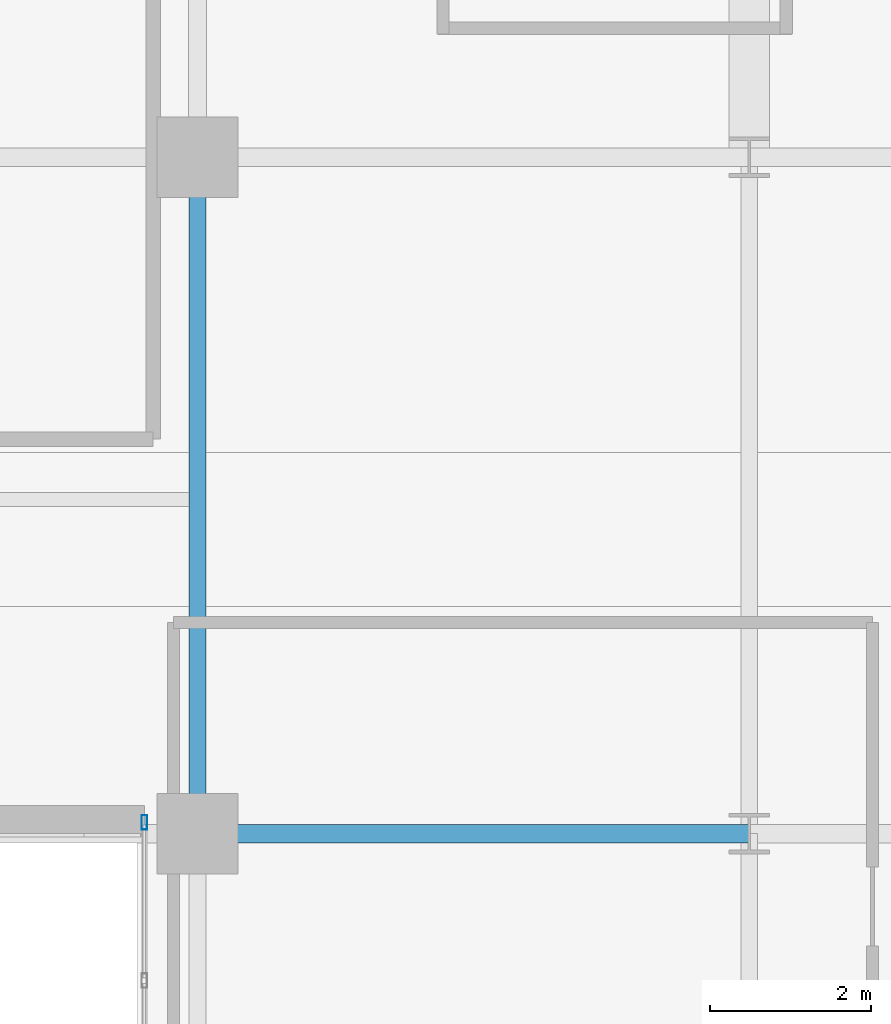
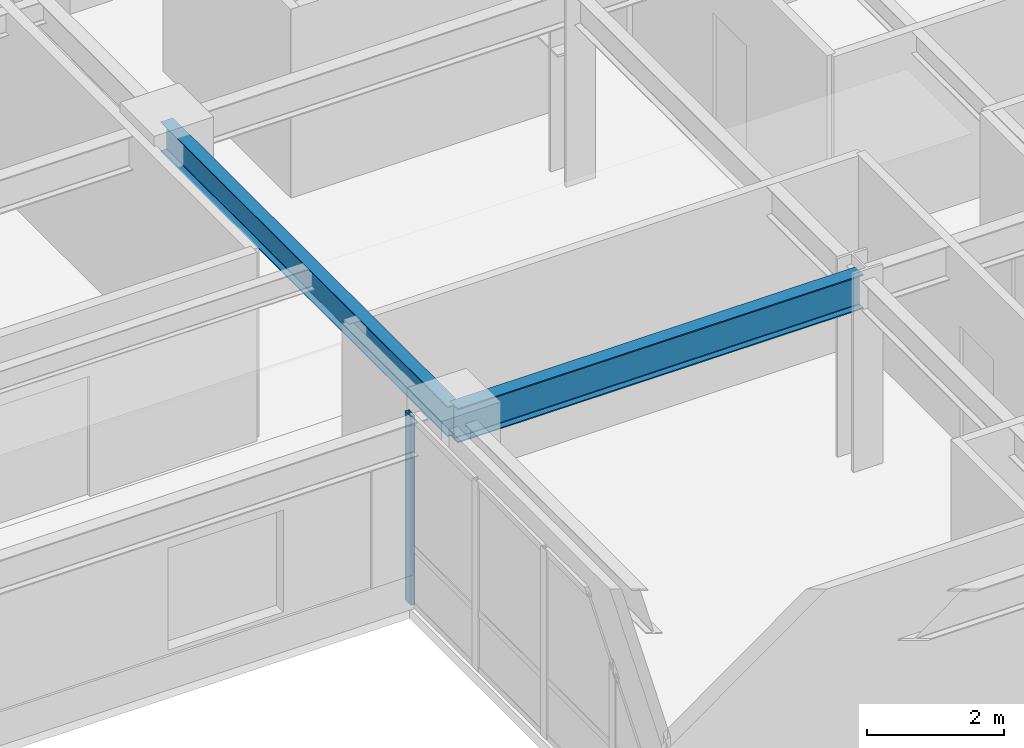
# One storey, part 11 of 24: 2 beams, 1 member, 1 element without a shape of its own.
"""IFC4 building model written with IfcOpenShell, lengths in metres."""

from ifc_helpers import new_model, si_unit, direction, frame, origin, origin_2d, place, context, subcontext, project, spatial, hollow_rectangle, i_section, extrude, source, transform, mapped, material, layer, layer_set, material_profile, profile_set, type_object, type_shapes, element, aggregate, save


model = new_model("IFC4")

# Units and contexts
model_context = context("Model", 3, precision=1e-05, world=origin(), true_north=direction((0.0, 1.0)))
body_context = subcontext(model_context, "Body", "Model", "MODEL_VIEW")
ifc_project = project(units=[si_unit("LENGTHUNIT", "METRE"), si_unit("AREAUNIT", "SQUARE_METRE"), si_unit("VOLUMEUNIT", "CUBIC_METRE"), si_unit("PLANEANGLEUNIT", "RADIAN"), si_unit("MASSUNIT", "GRAM", prefix="KILO")], contexts=[model_context])

# Site, building, storey
site_placement = place(None, origin())
site = spatial("IfcSite", under=ifc_project, at=site_placement, CompositionType="ELEMENT")
building_placement = place(site_placement, origin())
building = spatial("IfcBuilding", under=site, at=building_placement, Name="Tolvann Quenvar Hotel", CompositionType="ELEMENT")
storey_placement = place(building_placement, frame((0.0, 0.0, 67.5)))
storey = spatial("IfcBuildingStorey", under=building, at=storey_placement, Name="L16", CompositionType="ELEMENT", Elevation=67.5)

# Beams
ifc_material_1 = material(Name="Steel Grade 350", Category="steel")
ifc_material_profile_1 = material_profile(ifc_material_1, i_section(OverallWidth=0.22900390625, OverallDepth=0.612060546875, WebThickness=0.011962890625, FlangeThickness=0.01953125, FilletRadius=0.013916015625, at=origin_2d()), Name="610UB125")
ifc_profile_set_1 = profile_set([ifc_material_profile_1], Name="Steel Grade 350")
beam_type_1 = type_object("IfcBeamType", Name="BM_GIRD_610UB125", PredefinedType="BEAM", material=ifc_profile_set_1)
shared_shape_1 = source(origin(), body_context, "Body", "SweptSolid", [
    extrude(i_section(OverallWidth=0.22900390625, OverallDepth=0.612060546875, WebThickness=0.011962890625, FlangeThickness=0.01953125, FilletRadius=0.013916015625, at=origin_2d()), origin(), (0.0, 0.0, 1.0), 6.85009765625),
])
type_shapes(beam_type_1, [shared_shape_1])
beam_1_placement = place(storey_placement, frame((34.949951171875, 16.0, 3.06396484375), z_axis=(1.0, 0.0, 0.0), x_axis=(0.0, 1.0, 0.0)))
element("IfcBeam", 1, at=beam_1_placement, inside=storey, type_object=beam_type_1, Name="BM-L16-EW-4-F4-H4", PredefinedType="BEAM", context=body_context, shape_type="MappedRepresentation", body=[
    mapped(shared_shape_1, transform((0.0, 0.0, 0.0), x_axis=(1.0, 0.0, 0.0), y_axis=(0.0, 1.0, 0.0), z_axis=(0.0, 0.0, 1.0), scale=1.0)),
])
ifc_material_profile_2 = material_profile(ifc_material_1, i_section(OverallWidth=0.208984375, OverallDepth=0.532958984375, WebThickness=0.01025390625, FlangeThickness=0.015625, FilletRadius=0.013916015625, at=origin_2d()), Name="530UB92")
ifc_profile_set_2 = profile_set([ifc_material_profile_2], Name="Steel Grade 350")
beam_type_2 = type_object("IfcBeamType", Name="BM_GIRD_530UB92", PredefinedType="BEAM", material=ifc_profile_set_2)
shared_shape_2 = source(origin(), body_context, "Body", "SweptSolid", [
    extrude(i_section(OverallWidth=0.208984375, OverallDepth=0.532958984375, WebThickness=0.01025390625, FlangeThickness=0.015625, FilletRadius=0.013916015625, at=origin_2d()), origin(), (0.0, 0.0, 1.0), 8.39990234375),
])
type_shapes(beam_type_2, [shared_shape_2])
beam_2_placement = place(storey_placement, frame((34.949951171875, 16.0, 3.103515625), z_axis=(0.0, 1.0, 0.0), x_axis=(-1.0, 0.0, 0.0)))
element("IfcBeam", 2, at=beam_2_placement, inside=storey, type_object=beam_type_2, Name="BM-L16-NS-F4-F5", PredefinedType="BEAM", context=body_context, shape_type="MappedRepresentation", body=[
    mapped(shared_shape_2, transform((0.0, 0.0, 0.0), x_axis=(1.0, 0.0, 0.0), y_axis=(0.0, 1.0, 0.0), z_axis=(0.0, 0.0, 1.0), scale=1.0)),
])

# Curtain wall, member
ifc_material_2 = material(Name="Thermally broken anodised architectural aluminium 6063-T6 and laminated low-E glass", Category="aluminium")
ifc_layer = layer(ifc_material_2, 0.179931640625)
ifc_layer_set = layer_set([ifc_layer], Name="Thermally broken anodised architectural aluminium 6063-T6 and laminated low-E glass")
curtain_wall_type = type_object("IfcCurtainWallType", Name="CW_SYS_SLOT_03", PredefinedType="USERDEFINED", material=ifc_layer_set)
curtain_wall_placement = place(storey_placement, origin())
curtain_wall = element("IfcCurtainWall", 3, at=curtain_wall_placement, inside=storey, type_object=curtain_wall_type, Name="Curtain Wall CW-SLOT-03 (CWR-L16-E07)", ObjectType="UNITISED CURTAIN WALL", PredefinedType="USERDEFINED")
ifc_material_3 = material(Name="Anodised architectural aluminium 6063-T6 framing", Category="aluminium")
ifc_material_profile_3 = material_profile(ifc_material_3, hollow_rectangle(XDim=0.070068359375, YDim=0.179931640625, WallThickness=0.00390625, at=origin_2d()), Name="180x70x4RHS")
ifc_profile_set_3 = profile_set([ifc_material_profile_3], Name="Anodised architectural aluminium 6063-T6 framing")
member_type = type_object("IfcMemberType", Name="CW_MULL_180x70", PredefinedType="MULLION", material=ifc_profile_set_3)
shared_shape_3 = source(origin(), body_context, "Body", "SweptSolid", [
    extrude(hollow_rectangle(XDim=0.070068359375, YDim=0.179931640625, WallThickness=0.00390625, at=origin_2d()), origin(), (0.0, 0.0, 1.0), 3.3701171875),
])
type_shapes(member_type, [shared_shape_3])
member_placement = place(storey_placement, frame((34.2900390625, 16.139892578125, 0.0), z_axis=(0.0, 0.0, 1.0), x_axis=(1.0, 0.0, 0.0)))
member = element("IfcMember", 4, at=member_placement, type_object=member_type, Name="CW-SLOT-03 mullion 1", PredefinedType="MULLION", context=body_context, shape_type="MappedRepresentation", body=[
    mapped(shared_shape_3, transform((0.0, 0.0, 0.0), x_axis=(1.0, 0.0, 0.0), y_axis=(0.0, 1.0, 0.0), z_axis=(0.0, 0.0, 1.0), scale=1.0)),
])
aggregate(curtain_wall, [member])

save(model, "model.ifc")
